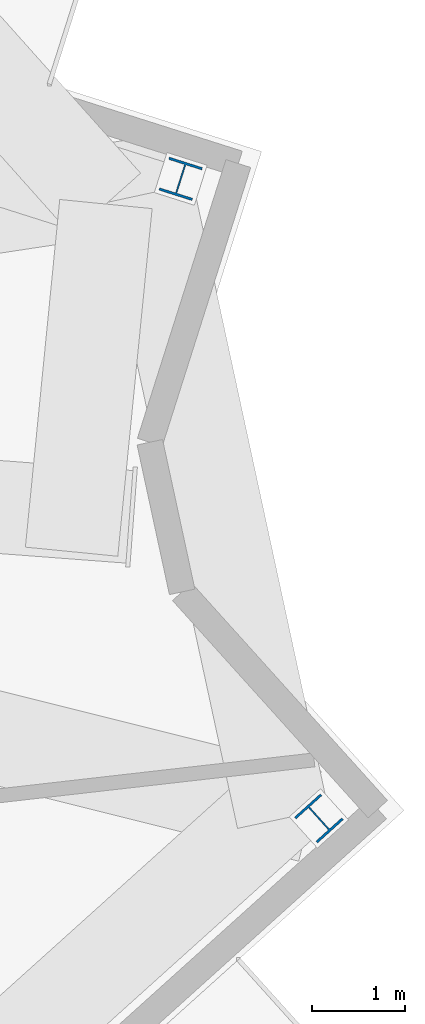
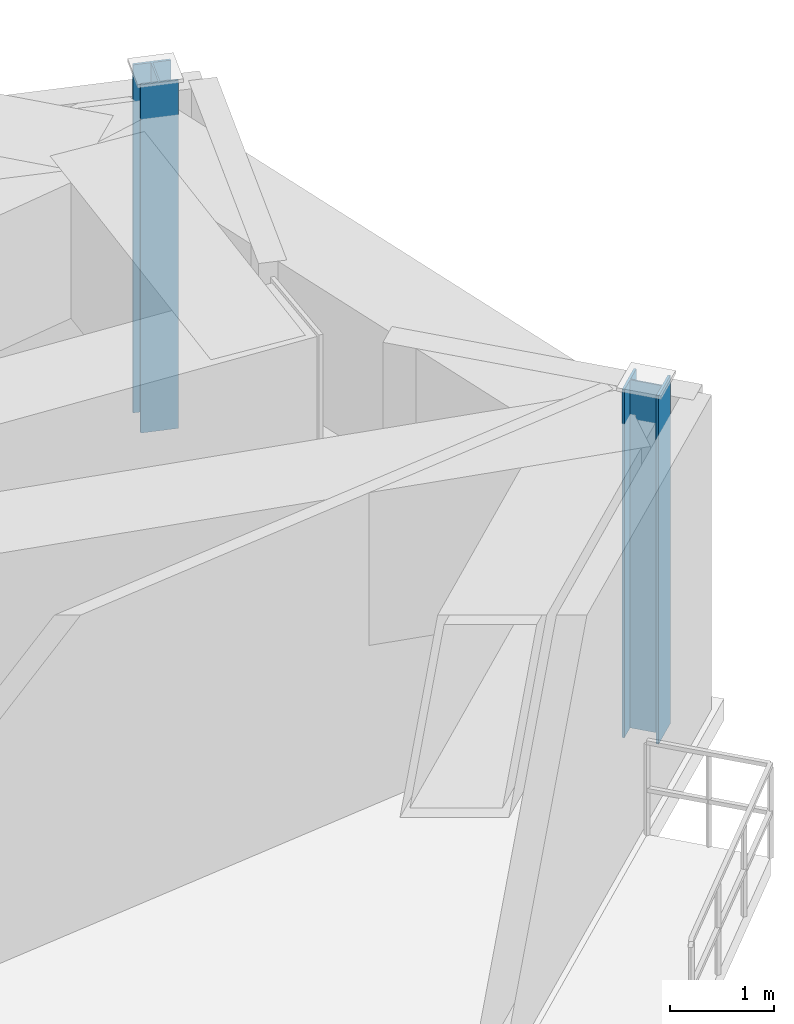
# One storey, part 3 of 12: 2 columns.
"""IFC4 building model written with IfcOpenShell, lengths in metres."""

import ifcopenshell
import ifcopenshell.guid

model = None  # the IFC model being written
_history = None  # IfcOwnerHistory: only IFC2X3 demands one
_inside = {}  # id of a spatial element -> (the spatial element, [elements in it])
_under = {}  # id of a project, library or spatial element -> (it, [spatial elements below it])
_declared = {}  # id of a project -> (the project, [libraries it declares])
_typed = {}  # id of a type object -> (the type object, [elements of that type])
_made_of = {}  # id of a material, layer set ... -> (it, [elements and type objects made of it])


def new_model(schema):
    """Start an empty IFC model of exactly this schema.

    Asked for "IFC4X3", IfcOpenShell would pick the latest addendum, in which some entities
    have other attributes; the version numbers below select the first issue.
    IFC2X3 requires an IfcOwnerHistory on every rooted entity: one is made here for all.
    """
    global model, _history
    if schema == "IFC4X3":
        model = ifcopenshell.file(schema_version=(4, 3, 0, 0))
    else:
        model = ifcopenshell.file(schema=schema)
    _inside.clear()
    _under.clear()
    _declared.clear()
    _typed.clear()
    _made_of.clear()
    _history = None
    if model.schema == "IFC2X3":
        org = make("IfcOrganization", Name="unknown")
        user = make(
            "IfcPersonAndOrganization",
            ThePerson=make("IfcPerson", FamilyName="unknown"),
            TheOrganization=org,
        )
        app = make(
            "IfcApplication",
            ApplicationDeveloper=org,
            Version="unknown",
            ApplicationFullName="unknown",
            ApplicationIdentifier="unknown",
        )
        _history = make(
            "IfcOwnerHistory",
            OwningUser=user,
            OwningApplication=app,
            ChangeAction="ADDED",
            CreationDate=0,
        )
    return model


def make(cls, **values):
    """One entity of the class cls with the attributes given. An attribute that is None is left unset."""
    return model.create_entity(
        cls, **{name: value for name, value in values.items() if value is not None}
    )


def rooted(cls, **values):
    """An entity with a GlobalId (a new one), such as an element, a storey or a relation."""
    return make(cls, GlobalId=ifcopenshell.guid.new(), OwnerHistory=_history, **values)


def si_unit(unit_type, name, prefix=None):
    """IfcSIUnit, for example si_unit("LENGTHUNIT", "METRE", prefix="MILLI")."""
    return make("IfcSIUnit", UnitType=unit_type, Prefix=prefix, Name=name)


def assignment(units):
    """IfcUnitAssignment: the units of a project."""
    return None if units is None else make("IfcUnitAssignment", Units=units)


def point(xyz):
    """IfcCartesianPoint."""
    return None if xyz is None else make("IfcCartesianPoint", Coordinates=xyz)


def direction(xyz):
    """IfcDirection."""
    return None if xyz is None else make("IfcDirection", DirectionRatios=xyz)


def frame(location, z_axis=None, x_axis=None):
    """IfcAxis2Placement3D, a coordinate frame: its origin and axes. An axis left out is left unset."""
    return make(
        "IfcAxis2Placement3D",
        Location=point(location),
        Axis=direction(z_axis),
        RefDirection=direction(x_axis),
    )


def frame_2d(location, x_axis=None):
    """IfcAxis2Placement2D, a coordinate frame in the plane: its origin and x axis."""
    return make(
        "IfcAxis2Placement2D", Location=point(location), RefDirection=direction(x_axis)
    )


def origin():
    """The frame at (0, 0, 0) with its axes left unset."""
    return frame((0.0, 0.0, 0.0))


def origin_2d():
    """The frame at (0, 0) in the plane with its x axis left unset."""
    return frame_2d((0.0, 0.0))


def place(relative_to, where):
    """IfcLocalPlacement: puts the frame where relative to a parent placement (None: the world)."""
    return make(
        "IfcLocalPlacement", PlacementRelTo=relative_to, RelativePlacement=where
    )


def context(
    kind, dimensions, precision=None, world=None, true_north=None, identifier=None
):
    """IfcGeometricRepresentationContext, for example the 3D "Model" context."""
    return make(
        "IfcGeometricRepresentationContext",
        ContextIdentifier=identifier,
        ContextType=kind,
        CoordinateSpaceDimension=dimensions,
        Precision=precision,
        WorldCoordinateSystem=world,
        TrueNorth=true_north,
    )


def subcontext(parent, identifier, kind, view, scale=None):
    """IfcGeometricRepresentationSubContext, for example "Body" below "Model"."""
    return make(
        "IfcGeometricRepresentationSubContext",
        ContextIdentifier=identifier,
        ContextType=kind,
        ParentContext=parent,
        TargetScale=scale,
        TargetView=view,
    )


def project(units=None, contexts=None):
    """IfcProject with its units and contexts."""
    return rooted(
        "IfcProject",
        Name="project",
        RepresentationContexts=contexts,
        UnitsInContext=assignment(units),
    )


def spatial(cls, under=None, at=None, **own):
    """A site, building, storey or space (cls), placed at a placement, below another one or the project."""
    s = rooted(cls, ObjectPlacement=at, **own)
    if under is not None:
        _under.setdefault(under.id(), (under, []))[1].append(s)
    return s


def profile(cls, at=None, kind="AREA", **sizes):
    """A parametric profile (cls). Its sizes go by their IFC names, for example OverallWidth=200.0."""
    return make(cls, ProfileType=kind, Position=at, **sizes)


def i_section(**sizes):
    """IfcIShapeProfileDef."""
    return profile("IfcIShapeProfileDef", **sizes)


def extrude(swept, where, along, depth):
    """IfcExtrudedAreaSolid: the profile swept, set in the frame where, extruded along a direction by depth."""
    return make(
        "IfcExtrudedAreaSolid",
        SweptArea=swept,
        Position=where,
        ExtrudedDirection=direction(along),
        Depth=depth,
    )


def shape(context_of_items, identifier, shape_type, items):
    """IfcShapeRepresentation: the items that make up one representation, for example the "Body"."""
    return make(
        "IfcShapeRepresentation",
        ContextOfItems=context_of_items,
        RepresentationIdentifier=identifier,
        RepresentationType=shape_type,
        Items=items,
    )


def material(Name=None, Category=None):
    """IfcMaterial."""
    return make("IfcMaterial", Name=Name, Category=Category)


def material_profile(
    of_material, cross_section, Name=None, Category=None, Priority=None
):
    """IfcMaterialProfile: a cross section and its material."""
    return make(
        "IfcMaterialProfile",
        Name=Name,
        Material=of_material,
        Profile=cross_section,
        Priority=Priority,
        Category=Category,
    )


def profile_set(profiles, Name=None, composite=None):
    """IfcMaterialProfileSet."""
    return make(
        "IfcMaterialProfileSet",
        Name=Name,
        MaterialProfiles=profiles,
        CompositeProfile=composite,
    )


def made_of(thing, what):
    """Note that an element or type object is made of a material, layer set ...; save() writes the relation."""
    if what is not None:
        _made_of.setdefault(what.id(), (what, []))[1].append(thing)
    return thing


def type_object(cls, material=None, **own):
    """A type object (cls), such as IfcWallType, which elements share."""
    return made_of(rooted(cls, **own), material)


def element(
    cls,
    number,
    at=None,
    inside=None,
    cuts=None,
    type_object=None,
    material=None,
    context=None,
    identifier="Body",
    shape_type=None,
    held_by="IfcProductDefinitionShape",
    body=None,
    shapes=None,
    **own,
):
    """One element of the class cls, such as IfcWall. Its Tag is "e" and its number.

    at: its placement. inside: the storey or other place that contains it. cuts: it is an
    opening in that element (IfcRelVoidsElement). A single representation is given by context,
    identifier, shape_type and body (its items); several are given by shapes. held_by: the class
    of the entity that holds the representations. save() writes the other relations.
    """
    e = rooted(cls, Tag="e%d" % number, ObjectPlacement=at, **own)
    if body is not None:
        shapes = [shape(context, identifier, shape_type, body)]
    if shapes is not None:
        e.Representation = make(held_by, Representations=shapes)
    if inside is not None:
        _inside.setdefault(inside.id(), (inside, []))[1].append(e)
    if cuts is not None:
        rooted(
            "IfcRelVoidsElement", RelatingBuildingElement=cuts, RelatedOpeningElement=e
        )
    if type_object is not None:
        _typed.setdefault(type_object.id(), (type_object, []))[1].append(e)
    return made_of(e, material)


def aggregate(whole, parts):
    """IfcRelAggregates: a whole, such as a stair, and the parts it consists of."""
    return rooted("IfcRelAggregates", RelatingObject=whole, RelatedObjects=parts)


def save(model, path):
    """Write the relations noted so far, then the file.

    IfcRelAggregates (storeys below a building ...), IfcRelContainedInSpatialStructure (elements
    in a storey), IfcRelDefinesByType, IfcRelAssociatesMaterial and IfcRelDeclares: one each for
    every whole, place, type object, material and project.
    """
    for whole, parts in _under.values():
        aggregate(whole, parts)
    for where, things in _inside.values():
        rooted(
            "IfcRelContainedInSpatialStructure",
            RelatedElements=things,
            RelatingStructure=where,
        )
    for kind, things in _typed.values():
        rooted("IfcRelDefinesByType", RelatedObjects=things, RelatingType=kind)
    for what, things in _made_of.values():
        rooted("IfcRelAssociatesMaterial", RelatedObjects=things, RelatingMaterial=what)
    for by, libraries in _declared.values():
        rooted("IfcRelDeclares", RelatingContext=by, RelatedDefinitions=libraries)
    model.write(path)


model = new_model("IFC4")

# Units and contexts
model_context = context("Model", 3, precision=1e-05, world=origin(), true_north=direction((0.0, 1.0)))
body_context = subcontext(model_context, "Body", "Model", "MODEL_VIEW")
ifc_project = project(units=[si_unit("LENGTHUNIT", "METRE"), si_unit("AREAUNIT", "SQUARE_METRE"), si_unit("VOLUMEUNIT", "CUBIC_METRE"), si_unit("PLANEANGLEUNIT", "RADIAN"), si_unit("MASSUNIT", "GRAM", prefix="KILO")], contexts=[model_context])

# Site, building, storey
site_placement = place(None, origin())
site = spatial("IfcSite", under=ifc_project, at=site_placement, CompositionType="ELEMENT")
building_placement = place(site_placement, origin())
building = spatial("IfcBuilding", under=site, at=building_placement, Name="Apsidion Concourse Tower", CompositionType="ELEMENT")
storey_placement = place(building_placement, frame((0.0, 0.0, 256.800048828125)))
storey = spatial("IfcBuildingStorey", under=building, at=storey_placement, Name="L60", CompositionType="ELEMENT", Elevation=256.800048828125)

# Columns
ifc_material = material(Name="Structural steel ASTM A992 Grade 50", Category="steel")
ifc_material_profile = material_profile(ifc_material, i_section(OverallWidth=0.373046875, OverallDepth=0.373046875, WebThickness=0.016357421875, FlangeThickness=0.026123046875, at=origin_2d()), Name="W14X132")
ifc_profile_set = profile_set([ifc_material_profile], Name="Structural steel ASTM A992 Grade 50")
column_type = type_object("IfcColumnType", Name="COL-W14-132", PredefinedType="COLUMN", material=ifc_profile_set)
for number, where, z_axis, x_axis, name in (
    (1, (30.300537109375, 2.81591796875, 0.0), (0.0, 0.0, 1.0), (0.743144825477, 0.669130606359, 0.0), "L60 Rotated Perimeter Column PC08"),
    (2, (28.811279296875, 9.705810546875, 0.0), (0.0, 0.0, 1.0), (-0.953137879774, 0.3025362493, 0.0), "L60 Rotated Perimeter Column PC09"),
):
    element("IfcColumn", number, at=place(storey_placement, frame(where, z_axis=z_axis, x_axis=x_axis)), inside=storey, type_object=column_type, Name=name, PredefinedType="COLUMN", context=body_context, shape_type="SweptSolid", body=[
        extrude(i_section(OverallWidth=0.373046875, OverallDepth=0.373046875, WebThickness=0.016357421875, FlangeThickness=0.026123046875, at=origin_2d()), origin(), (0.0, 0.0, 1.0), 4.099853515625),
    ])

save(model, "model.ifc")
